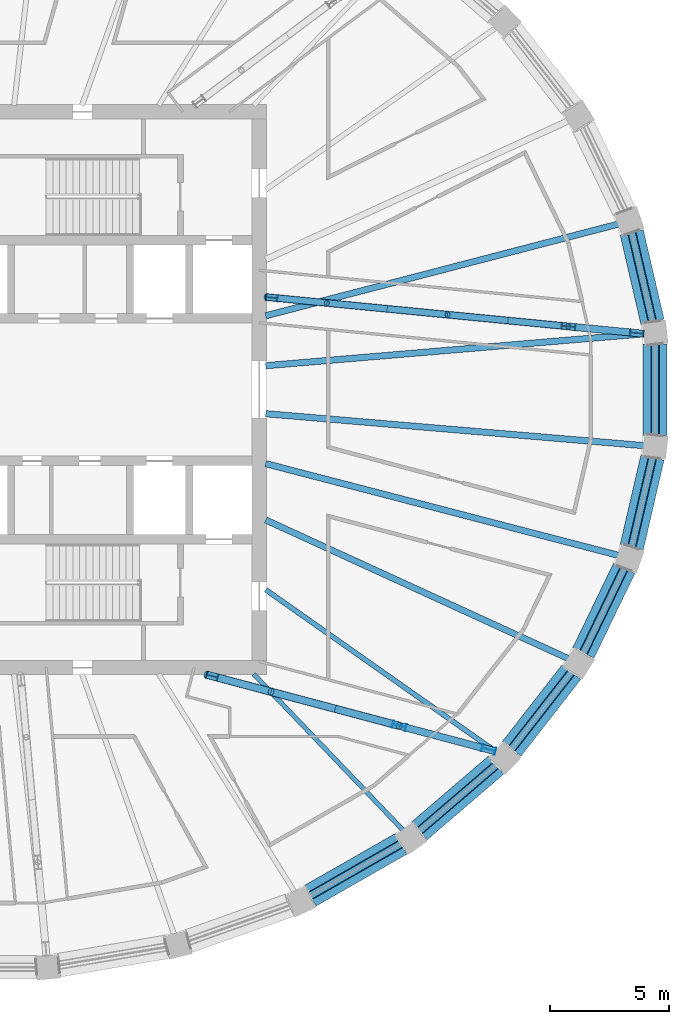
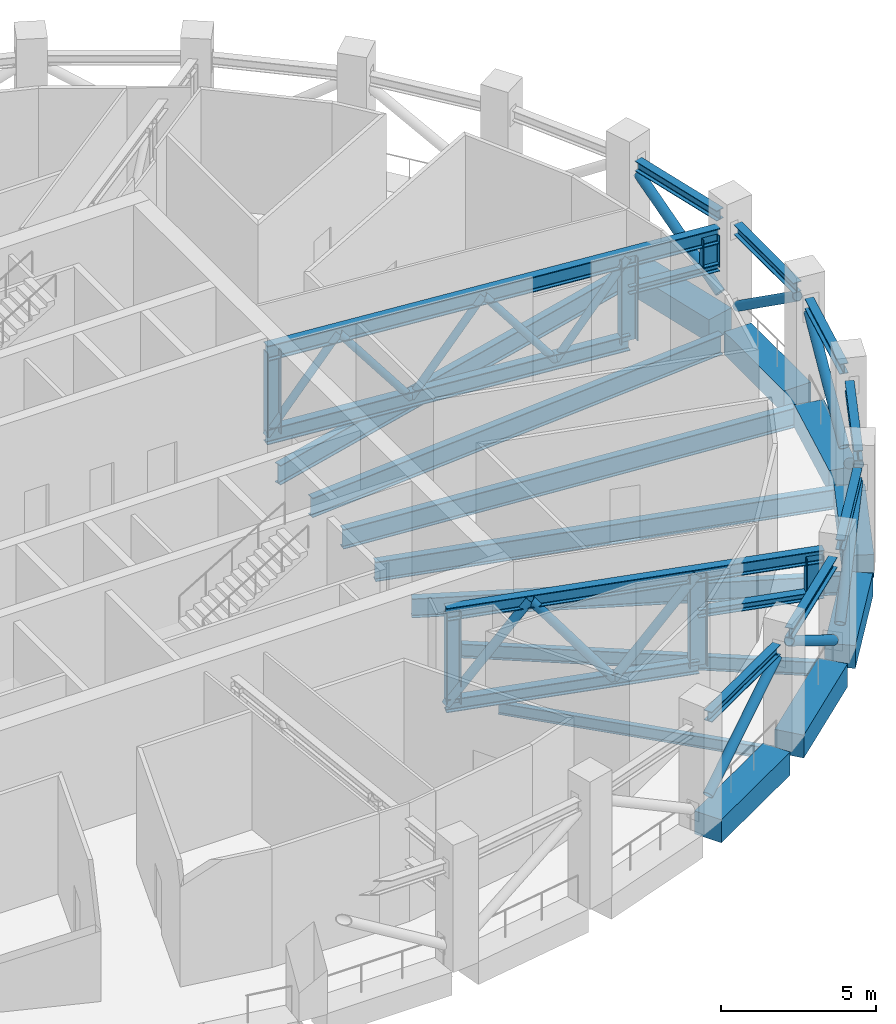
# One storey, part 4 of 20: 34 members, 14 beams.
"""IFC4 building model written with IfcOpenShell, lengths in metres."""

from ifc_helpers import new_model, si_unit, direction, frame, origin, origin_2d, place, context, subcontext, project, spatial, rectangle, hollow_circle, i_section, extrude, material, material_profile, profile_set, type_object, element, save


model = new_model("IFC4")

# Units and contexts
model_context = context("Model", 3, precision=1e-05, world=origin(), true_north=direction((0.0, 1.0)))
body_context = subcontext(model_context, "Body", "Model", "MODEL_VIEW")
ifc_project = project(units=[si_unit("LENGTHUNIT", "METRE"), si_unit("AREAUNIT", "SQUARE_METRE"), si_unit("VOLUMEUNIT", "CUBIC_METRE"), si_unit("PLANEANGLEUNIT", "RADIAN"), si_unit("MASSUNIT", "GRAM", prefix="KILO")], contexts=[model_context])

# Site, building, storey
site_placement = place(None, origin())
site = spatial("IfcSite", under=ifc_project, at=site_placement, CompositionType="ELEMENT")
building_placement = place(site_placement, origin())
building = spatial("IfcBuilding", under=site, at=building_placement, Name="Halqa Exchange Tower", CompositionType="ELEMENT")
storey_placement = place(building_placement, frame((0.0, 0.0, 328.300048828125)))
storey = spatial("IfcBuildingStorey", under=building, at=storey_placement, Name="L77", CompositionType="ELEMENT", Elevation=328.300048828125)

# Members
ifc_material_1 = material(Name="Steel S355", Category="steel")
ifc_material_profile_1 = material_profile(ifc_material_1, i_section(OverallWidth=0.300048828125, OverallDepth=0.39990234375, WebThickness=0.013427734375, FlangeThickness=0.02392578125, FilletRadius=0.027099609375, at=origin_2d()), Name="HEB 400")
ifc_profile_set_1 = profile_set([ifc_material_profile_1], Name="Steel S355")
member_type_1 = type_object("IfcMemberType", Name="Belt truss chord HEB 400", PredefinedType="CHORD", material=ifc_profile_set_1)
member_1_placement = place(storey_placement, frame((28.255126953125, 2.85791015625, 3.89990234375), z_axis=(-0.226024956328, 0.974121511474, 0.0), x_axis=(-0.974121511474, -0.226024956328, 0.0)))
element("IfcMember", 1, at=member_1_placement, inside=storey, type_object=member_type_1, Name="Belt chord 1", PredefinedType="CHORD", context=body_context, shape_type="SweptSolid", body=[
    extrude(i_section(OverallWidth=0.300048828125, OverallDepth=0.39990234375, WebThickness=0.013427734375, FlangeThickness=0.02392578125, FilletRadius=0.027099609375, at=origin_2d()), origin(), (0.0, 0.0, 1.0), 3.8701171875),
])
member_2_placement = place(storey_placement, frame((13.845458984375, -21.308837890625, 3.89990234375), z_axis=(0.867758571209, 0.496985977764, 0.0), x_axis=(-0.496985977764, 0.867758571209, 0.0)))
element("IfcMember", 2, at=member_2_placement, inside=storey, type_object=member_type_1, Name="Belt chord 27", PredefinedType="CHORD", context=body_context, shape_type="SweptSolid", body=[
    extrude(i_section(OverallWidth=0.300048828125, OverallDepth=0.39990234375, WebThickness=0.013427734375, FlangeThickness=0.02392578125, FilletRadius=0.027099609375, at=origin_2d()), origin(), (0.0, 0.0, 1.0), 4.406494140625),
])
member_3_placement = place(storey_placement, frame((18.440185546875, -18.574951171875, 3.89990234375), z_axis=(0.75928090671, 0.650763017315, 0.0), x_axis=(-0.650763017315, 0.75928090671, 0.0)))
element("IfcMember", 3, at=member_3_placement, inside=storey, type_object=member_type_1, Name="Belt chord 28", PredefinedType="CHORD", context=body_context, shape_type="SweptSolid", body=[
    extrude(i_section(OverallWidth=0.300048828125, OverallDepth=0.39990234375, WebThickness=0.013427734375, FlangeThickness=0.02392578125, FilletRadius=0.027099609375, at=origin_2d()), origin(), (0.0, 0.0, 1.0), 4.25439453125),
])
member_4_placement = place(storey_placement, frame((22.322998046875, -15.122314453125, 3.89990234375), z_axis=(0.614855529737, 0.78863976412, 0.0), x_axis=(-0.78863976412, 0.614855529737, 0.0)))
element("IfcMember", 4, at=member_4_placement, inside=storey, type_object=member_type_1, Name="Belt chord 29", PredefinedType="CHORD", context=body_context, shape_type="SweptSolid", body=[
    extrude(i_section(OverallWidth=0.300048828125, OverallDepth=0.39990234375, WebThickness=0.013427734375, FlangeThickness=0.02392578125, FilletRadius=0.027099609375, at=origin_2d()), origin(), (0.0, 0.0, 1.0), 4.099365234375),
])
member_5_placement = place(storey_placement, frame((25.34130859375, -11.08837890625, 3.89990234375), z_axis=(0.435102095342, 0.900381122986, 0.0), x_axis=(-0.900381122986, 0.435102095342, 0.0)))
element("IfcMember", 5, at=member_5_placement, inside=storey, type_object=member_type_1, Name="Belt chord 30", PredefinedType="CHORD", context=body_context, shape_type="SweptSolid", body=[
    extrude(i_section(OverallWidth=0.300048828125, OverallDepth=0.39990234375, WebThickness=0.013427734375, FlangeThickness=0.02392578125, FilletRadius=0.027099609375, at=origin_2d()), origin(), (0.0, 0.0, 1.0), 3.96435546875),
])
member_6_placement = place(storey_placement, frame((27.38037109375, -6.6279296875, 3.89990234375), z_axis=(0.226024956328, 0.974121511474, 0.0), x_axis=(-0.974121511474, 0.226024956328, 0.0)))
element("IfcMember", 6, at=member_6_placement, inside=storey, type_object=member_type_1, Name="Belt chord 31", PredefinedType="CHORD", context=body_context, shape_type="SweptSolid", body=[
    extrude(i_section(OverallWidth=0.300048828125, OverallDepth=0.39990234375, WebThickness=0.013427734375, FlangeThickness=0.02392578125, FilletRadius=0.027099609375, at=origin_2d()), origin(), (0.0, 0.0, 1.0), 3.8701171875),
])
member_7_placement = place(storey_placement, frame((28.36279296875, -1.91845703125, 3.89990234375), z_axis=(0.0, 1.0, 0.0), x_axis=(-1.0, 0.0, 0.0)))
element("IfcMember", 7, at=member_7_placement, inside=storey, type_object=member_type_1, Name="Belt chord 32", PredefinedType="CHORD", context=body_context, shape_type="SweptSolid", body=[
    extrude(i_section(OverallWidth=0.300048828125, OverallDepth=0.39990234375, WebThickness=0.013427734375, FlangeThickness=0.02392578125, FilletRadius=0.027099609375, at=origin_2d()), origin(), (0.0, 0.0, 1.0), 3.8369140625),
])
ifc_material_profile_2 = material_profile(ifc_material_1, hollow_circle(Radius=0.177734375, WallThickness=0.02001953125, at=origin_2d()), Name="CHS 355.6x20")
ifc_profile_set_2 = profile_set([ifc_material_profile_2], Name="Steel S355")
member_type_2 = type_object("IfcMemberType", Name="Belt truss diagonal CHS 355.6x20", PredefinedType="BRACE", material=ifc_profile_set_2)
member_8_placement = place(storey_placement, frame((28.25537109375, 2.857177734375, 0.8349609375), z_axis=(-0.184739014673, 0.796104055143, 0.576272357347), x_axis=(-0.974116294117, -0.226047440896, 0.0)))
element("IfcMember", 8, at=member_8_placement, inside=storey, type_object=member_type_2, Name="Belt diagonal 1", PredefinedType="BRACE", context=body_context, shape_type="SweptSolid", body=[
    extrude(hollow_circle(Radius=0.177734375, WallThickness=0.02001953125, at=origin_2d()), origin(), (0.0, 0.0, 1.0), 4.73779296875),
])
member_9_placement = place(storey_placement, frame((13.845947265625, -21.30859375, 0.80078125), z_axis=(0.73252115506, 0.419499118497, 0.536128013603), x_axis=(-0.49695638513, 0.867775518944, 0.0)))
element("IfcMember", 9, at=member_9_placement, inside=storey, type_object=member_type_2, Name="Belt diagonal 27", PredefinedType="BRACE", context=body_context, shape_type="SweptSolid", body=[
    extrude(hollow_circle(Radius=0.177734375, WallThickness=0.02001953125, at=origin_2d()), origin(), (0.0, 0.0, 1.0), 5.218505859375),
])
member_10_placement = place(storey_placement, frame((18.44091796875, -18.574462890625, 3.589599609375), z_axis=(0.635586053548, 0.544801769902, -0.547011334477), x_axis=(-0.650800824184, 0.75924850164, 0.0)))
element("IfcMember", 10, at=member_10_placement, inside=storey, type_object=member_type_2, Name="Belt diagonal 28", PredefinedType="BRACE", context=body_context, shape_type="SweptSolid", body=[
    extrude(hollow_circle(Radius=0.177734375, WallThickness=0.02001953125, at=origin_2d()), origin(), (0.0, 0.0, 1.0), 5.082763671875),
])
member_11_placement = place(storey_placement, frame((22.322509765625, -15.123291015625, 0.8193359375), z_axis=(0.50993340575, 0.654174958089, 0.558590230768), x_axis=(-0.788691154444, 0.614789608648, 0.0)))
element("IfcMember", 11, at=member_11_placement, inside=storey, type_object=member_type_2, Name="Belt diagonal 29", PredefinedType="BRACE", context=body_context, shape_type="SweptSolid", body=[
    extrude(hollow_circle(Radius=0.177734375, WallThickness=0.02001953125, at=origin_2d()), origin(), (0.0, 0.0, 1.0), 4.9423828125),
])
member_12_placement = place(storey_placement, frame((25.341796875, -11.08740234375, 3.57080078125), z_axis=(0.357783030939, 0.740434616264, -0.568988472475), x_axis=(-0.900393591265, 0.435076293091, 0.0)))
element("IfcMember", 12, at=member_12_placement, inside=storey, type_object=member_type_2, Name="Belt diagonal 30", PredefinedType="BRACE", context=body_context, shape_type="SweptSolid", body=[
    extrude(hollow_circle(Radius=0.177734375, WallThickness=0.02001953125, at=origin_2d()), origin(), (0.0, 0.0, 1.0), 4.8203125),
])
member_13_placement = place(storey_placement, frame((27.380126953125, -6.62890625, 0.834716796875), z_axis=(0.184739014673, 0.796104055143, 0.576272357347), x_axis=(-0.974116294117, 0.226047440896, 0.0)))
element("IfcMember", 13, at=member_13_placement, inside=storey, type_object=member_type_2, Name="Belt diagonal 31", PredefinedType="BRACE", context=body_context, shape_type="SweptSolid", body=[
    extrude(hollow_circle(Radius=0.177734375, WallThickness=0.02001953125, at=origin_2d()), origin(), (0.0, 0.0, 1.0), 4.73779296875),
])
member_14_placement = place(storey_placement, frame((28.36279296875, -1.919189453125, 3.5625), z_axis=(0.0, 0.815398163064, -0.578900540397), x_axis=(-1.0, 0.0, 0.0)))
element("IfcMember", 14, at=member_14_placement, inside=storey, type_object=member_type_2, Name="Belt diagonal 32", PredefinedType="BRACE", context=body_context, shape_type="SweptSolid", body=[
    extrude(hollow_circle(Radius=0.177734375, WallThickness=0.02001953125, at=origin_2d()), origin(), (0.0, 0.0, 1.0), 4.707275390625),
])

# Beams
ifc_material_profile_3 = material_profile(ifc_material_1, i_section(OverallWidth=0.18994140625, OverallDepth=0.449951171875, WebThickness=0.009521484375, FlangeThickness=0.0146484375, FilletRadius=0.02099609375, at=origin_2d()), Name="IPE 450")
ifc_profile_set_3 = profile_set([ifc_material_profile_3], Name="Steel S355")
beam_type_1 = type_object("IfcBeamType", Name="Floor beam IPE 450", PredefinedType="BEAM", material=ifc_profile_set_3)
beam_1_placement = place(storey_placement, frame((11.462890625, -11.97216796875, -0.574951171875), z_axis=(0.6915759213, -0.722303776175, 0.0), x_axis=(0.722303776175, 0.6915759213, 0.0)))
element("IfcBeam", 15, at=beam_1_placement, inside=storey, type_object=beam_type_1, Name="Radial beam 28", PredefinedType="BEAM", context=body_context, shape_type="SweptSolid", body=[
    extrude(i_section(OverallWidth=0.18994140625, OverallDepth=0.449951171875, WebThickness=0.009521484375, FlangeThickness=0.0146484375, FilletRadius=0.02099609375, at=origin_2d()), origin(), (0.0, 0.0, 1.0), 9.192626953125),
])
ifc_material_profile_4 = material_profile(ifc_material_1, i_section(OverallWidth=0.2099609375, OverallDepth=0.550048828125, WebThickness=0.010986328125, FlangeThickness=0.01708984375, FilletRadius=0.02392578125, at=origin_2d()), Name="IPE 550")
ifc_profile_set_4 = profile_set([ifc_material_profile_4], Name="Steel S355")
beam_type_2 = type_object("IfcBeamType", Name="Floor beam IPE 550", PredefinedType="BEAM", material=ifc_profile_set_4)
beam_2_placement = place(storey_placement, frame((11.97265625, -8.422119140625, -0.625), z_axis=(0.817914568296, -0.57533969007, 0.0), x_axis=(0.57533969007, 0.817914568296, 0.0)))
element("IfcBeam", 16, at=beam_2_placement, inside=storey, type_object=beam_type_2, Name="Radial beam 29", PredefinedType="BEAM", context=body_context, shape_type="SweptSolid", body=[
    extrude(i_section(OverallWidth=0.2099609375, OverallDepth=0.550048828125, WebThickness=0.010986328125, FlangeThickness=0.01708984375, FilletRadius=0.02392578125, at=origin_2d()), origin(), (0.0, 0.0, 1.0), 11.92138671875),
])
ifc_material_profile_5 = material_profile(ifc_material_1, i_section(OverallWidth=0.264892578125, OverallDepth=0.7529296875, WebThickness=0.01318359375, FlangeThickness=0.01708984375, FilletRadius=0.01708984375, at=origin_2d()), Name="IPE 750x147")
ifc_profile_set_5 = profile_set([ifc_material_profile_5], Name="Steel S355")
beam_type_3 = type_object("IfcBeamType", Name="Floor beam IPE 750x147", PredefinedType="BEAM", material=ifc_profile_set_5)
beam_3_placement = place(storey_placement, frame((11.972412109375, -5.485107421875, -0.7265625), z_axis=(0.909126834486, -0.416519385884, 0.0), x_axis=(0.416519385884, 0.909126834486, 0.0)))
element("IfcBeam", 17, at=beam_3_placement, inside=storey, type_object=beam_type_3, Name="Radial beam 30", PredefinedType="BEAM", context=body_context, shape_type="SweptSolid", body=[
    extrude(i_section(OverallWidth=0.264892578125, OverallDepth=0.7529296875, WebThickness=0.01318359375, FlangeThickness=0.01708984375, FilletRadius=0.01708984375, at=origin_2d()), origin(), (0.0, 0.0, 1.0), 14.10205078125),
])
ifc_material_profile_6 = material_profile(ifc_material_1, i_section(OverallWidth=0.26806640625, OverallDepth=0.77001953125, WebThickness=0.015625, FlangeThickness=0.025390625, FilletRadius=0.01708984375, at=origin_2d()), Name="IPE 750x196")
ifc_profile_set_6 = profile_set([ifc_material_profile_6], Name="Steel S355")
beam_type_4 = type_object("IfcBeamType", Name="Floor beam IPE 750x196", PredefinedType="BEAM", material=ifc_profile_set_6)
beam_4_placement = place(storey_placement, frame((11.972900390625, 1.0107421875, -0.735107421875), z_axis=(0.996455843657, 0.08411748713, 0.0), x_axis=(-0.08411748713, 0.996455843657, 0.0)))
element("IfcBeam", 18, at=beam_4_placement, inside=storey, type_object=beam_type_4, Name="Radial beam 1", PredefinedType="BEAM", context=body_context, shape_type="SweptSolid", body=[
    extrude(i_section(OverallWidth=0.26806640625, OverallDepth=0.77001953125, WebThickness=0.015625, FlangeThickness=0.025390625, FilletRadius=0.01708984375, at=origin_2d()), origin(), (0.0, 0.0, 1.0), 16.076171875),
])
for number, where, z_axis, x_axis, name in (
    (19, (11.97119140625, 3.112548828125, -0.735107421875), (0.967819348283, 0.251645999551, 0.0), (-0.251645999551, 0.967819348283, 0.0), "Radial beam 2"),
    (20, (11.97119140625, -3.112548828125, -0.735107421875), (0.967819348283, -0.251645999551, 0.0), (0.251645999551, 0.967819348283, 0.0), "Radial beam 31"),
):
    element("IfcBeam", number, at=place(storey_placement, frame(where, z_axis=z_axis, x_axis=x_axis)), inside=storey, type_object=beam_type_4, Name=name, PredefinedType="BEAM", context=body_context, shape_type="SweptSolid", body=[
        extrude(i_section(OverallWidth=0.26806640625, OverallDepth=0.77001953125, WebThickness=0.015625, FlangeThickness=0.025390625, FilletRadius=0.01708984375, at=origin_2d()), origin(), (0.0, 0.0, 1.0), 15.4365234375),
    ])
beam_5_placement = place(storey_placement, frame((11.972900390625, -1.0107421875, -0.735107421875), z_axis=(0.996455843657, -0.08411748713, 0.0), x_axis=(0.08411748713, 0.996455843657, 0.0)))
element("IfcBeam", 21, at=beam_5_placement, inside=storey, type_object=beam_type_4, Name="Radial beam 32", PredefinedType="BEAM", context=body_context, shape_type="SweptSolid", body=[
    extrude(i_section(OverallWidth=0.26806640625, OverallDepth=0.77001953125, WebThickness=0.015625, FlangeThickness=0.025390625, FilletRadius=0.01708984375, at=origin_2d()), origin(), (0.0, 0.0, 1.0), 16.076171875),
])

# Members
ifc_material_profile_7 = material_profile(ifc_material_1, i_section(OverallWidth=0.300048828125, OverallDepth=0.5, WebThickness=0.014404296875, FlangeThickness=0.028076171875, FilletRadius=0.027099609375, at=origin_2d()), Name="HEB 500")
ifc_profile_set_7 = profile_set([ifc_material_profile_7], Name="Steel S355")
member_type_3 = type_object("IfcMemberType", Name="Outrigger chord HEB 500", PredefinedType="CHORD", material=ifc_profile_set_7)
member_15_placement = place(storey_placement, frame((9.473876953125, -11.9931640625, 0.25), z_axis=(0.966501179525, -0.25666217091, 0.0), x_axis=(0.25666217091, 0.966501179525, 0.0)))
element("IfcMember", 22, at=member_15_placement, inside=storey, type_object=member_type_3, Name="Outrigger 8 chord", PredefinedType="CHORD", context=body_context, shape_type="SweptSolid", body=[
    extrude(i_section(OverallWidth=0.300048828125, OverallDepth=0.5, WebThickness=0.014404296875, FlangeThickness=0.028076171875, FilletRadius=0.027099609375, at=origin_2d()), origin(), (0.0, 0.0, 1.0), 8.4306640625),
])
member_16_placement = place(storey_placement, frame((9.473876953125, -11.9931640625, 3.849853515625), z_axis=(0.966498956435, -0.256670542154, 0.0), x_axis=(0.256670542154, 0.966498956435, 0.0)))
element("IfcMember", 23, at=member_16_placement, inside=storey, type_object=member_type_3, Name="Outrigger 8 chord", PredefinedType="CHORD", context=body_context, shape_type="SweptSolid", body=[
    extrude(i_section(OverallWidth=0.300048828125, OverallDepth=0.5, WebThickness=0.014404296875, FlangeThickness=0.028076171875, FilletRadius=0.027099609375, at=origin_2d()), origin(), (0.0, 0.0, 1.0), 12.591796875),
])
ifc_material_profile_8 = material_profile(ifc_material_1, i_section(OverallWidth=0.300048828125, OverallDepth=0.60009765625, WebThickness=0.015380859375, FlangeThickness=0.030029296875, FilletRadius=0.027099609375, at=origin_2d()), Name="HEB 600")
ifc_profile_set_8 = profile_set([ifc_material_profile_8], Name="Steel S355")
member_type_4 = type_object("IfcMemberType", Name="Outrigger chord HEB 600", PredefinedType="CHORD", material=ifc_profile_set_8)
member_17_placement = place(storey_placement, frame((11.97314453125, 3.902587890625, 0.300048828125), z_axis=(0.995305404856, -0.096784043442, 0.0), x_axis=(0.096784043442, 0.995305404856, 0.0)))
element("IfcMember", 24, at=member_17_placement, inside=storey, type_object=member_type_4, Name="Outrigger 1 chord", PredefinedType="CHORD", context=body_context, shape_type="SweptSolid", body=[
    extrude(i_section(OverallWidth=0.300048828125, OverallDepth=0.60009765625, WebThickness=0.015380859375, FlangeThickness=0.030029296875, FilletRadius=0.027099609375, at=origin_2d()), origin(), (0.0, 0.0, 1.0), 12.8271484375),
])
member_18_placement = place(storey_placement, frame((11.97314453125, 3.902587890625, 3.579833984375), z_axis=(0.995304343472, -0.096794957853, 0.0), x_axis=(0.096794957853, 0.995304343472, 0.0)))
element("IfcMember", 25, at=member_18_placement, inside=storey, type_object=member_type_4, Name="Outrigger 1 chord", PredefinedType="CHORD", context=body_context, shape_type="SweptSolid", body=[
    extrude(i_section(OverallWidth=0.300048828125, OverallDepth=0.60009765625, WebThickness=0.015380859375, FlangeThickness=0.030029296875, FilletRadius=0.027099609375, at=origin_2d()), origin(), (0.0, 0.0, 1.0), 15.99365234375),
])
ifc_material_profile_9 = material_profile(ifc_material_1, hollow_circle(Radius=0.136474609375, WallThickness=0.01611328125, at=origin_2d()), Name="CHS 273x16")
ifc_profile_set_9 = profile_set([ifc_material_profile_9], Name="Steel S355")
member_type_5 = type_object("IfcMemberType", Name="Outrigger diagonal CHS 273x16", PredefinedType="BRACE", material=ifc_profile_set_9)
for number, where, z_axis, x_axis, name in (
    (26, (12.0, 3.89990234375, 0.300048828125), (0.611583944938, -0.059490545057, 0.788939765345), (0.096815943184, 0.995302302391, 0.0), "Outrigger 1 diagonal"),
    (27, (14.54248046875, 3.652587890625, 3.579833984375), (0.611622839694, -0.059429890904, -0.7889141842), (0.096712064362, 0.995312401514, 0.0), "Outrigger 1 diagonal"),
):
    element("IfcMember", number, at=place(storey_placement, frame(where, z_axis=z_axis, x_axis=x_axis)), inside=storey, type_object=member_type_5, Name=name, PredefinedType="BRACE", context=body_context, shape_type="SweptSolid", body=[
        extrude(hollow_circle(Radius=0.136474609375, WallThickness=0.01611328125, at=origin_2d()), origin(), (0.0, 0.0, 1.0), 4.1572265625),
    ])
member_19_placement = place(storey_placement, frame((17.085205078125, 3.405517578125, 0.300048828125), z_axis=(0.611620704067, -0.059488408374, 0.788911429519), x_axis=(0.096806734487, 0.995303198105, 0.0)))
element("IfcMember", 28, at=member_19_placement, inside=storey, type_object=member_type_5, Name="Outrigger 1 diagonal", PredefinedType="BRACE", context=body_context, shape_type="SweptSolid", body=[
    extrude(hollow_circle(Radius=0.136474609375, WallThickness=0.01611328125, at=origin_2d()), origin(), (0.0, 0.0, 1.0), 4.157470703125),
])
for number, where, z_axis, x_axis, name in (
    (29, (19.6279296875, 3.158203125, 3.579833984375), (0.611583944938, -0.059490545057, -0.788939765345), (0.096815943184, 0.995302302391, 0.0), "Outrigger 1 diagonal"),
    (30, (22.17041015625, 2.910888671875, 0.300048828125), (0.611622839694, -0.059429890904, 0.7889141842), (0.096712064362, 0.995312401514, 0.0), "Outrigger 1 diagonal"),
):
    element("IfcMember", number, at=place(storey_placement, frame(where, z_axis=z_axis, x_axis=x_axis)), inside=storey, type_object=member_type_5, Name=name, PredefinedType="BRACE", context=body_context, shape_type="SweptSolid", body=[
        extrude(hollow_circle(Radius=0.136474609375, WallThickness=0.01611328125, at=origin_2d()), origin(), (0.0, 0.0, 1.0), 4.1572265625),
    ])
ifc_material_profile_10 = material_profile(ifc_material_1, hollow_circle(Radius=0.161865234375, WallThickness=0.01611328125, at=origin_2d()), Name="CHS 323.9x16")
ifc_profile_set_10 = profile_set([ifc_material_profile_10], Name="Steel S355")
member_type_6 = type_object("IfcMemberType", Name="Outrigger diagonal CHS 323.9x16", PredefinedType="BRACE", material=ifc_profile_set_10)
member_20_placement = place(storey_placement, frame((9.5, -12.0, 0.25), z_axis=(0.592364249582, -0.157335031371, 0.79015839154), x_axis=(0.256704746251, 0.966489872297, 0.0)))
element("IfcMember", 31, at=member_20_placement, inside=storey, type_object=member_type_6, Name="Outrigger 8 diagonal", PredefinedType="BRACE", context=body_context, shape_type="SweptSolid", body=[
    extrude(hollow_circle(Radius=0.161865234375, WallThickness=0.01611328125, at=origin_2d()), origin(), (0.0, 0.0, 1.0), 4.555908203125),
])
member_21_placement = place(storey_placement, frame((12.19873046875, -12.716796875, 3.849853515625), z_axis=(0.592334457202, -0.157287761864, -0.79019013584), x_axis=(0.256644759951, 0.966505802978, 0.0)))
element("IfcMember", 32, at=member_21_placement, inside=storey, type_object=member_type_6, Name="Outrigger 8 diagonal", PredefinedType="BRACE", context=body_context, shape_type="SweptSolid", body=[
    extrude(hollow_circle(Radius=0.161865234375, WallThickness=0.01611328125, at=origin_2d()), origin(), (0.0, 0.0, 1.0), 4.5556640625),
])
member_22_placement = place(storey_placement, frame((14.897216796875, -13.433349609375, 0.25), z_axis=(0.592364249582, -0.157335031371, 0.79015839154), x_axis=(0.256704746251, 0.966489872297, 0.0)))
element("IfcMember", 33, at=member_22_placement, inside=storey, type_object=member_type_6, Name="Outrigger 8 diagonal", PredefinedType="BRACE", context=body_context, shape_type="SweptSolid", body=[
    extrude(hollow_circle(Radius=0.161865234375, WallThickness=0.01611328125, at=origin_2d()), origin(), (0.0, 0.0, 1.0), 4.555908203125),
])
ifc_material_profile_11 = material_profile(ifc_material_1, i_section(OverallWidth=0.300048828125, OverallDepth=0.300048828125, WebThickness=0.010986328125, FlangeThickness=0.01904296875, FilletRadius=0.027099609375, at=origin_2d()), Name="HEB 300")
ifc_profile_set_11 = profile_set([ifc_material_profile_11], Name="Steel S355")
member_type_7 = type_object("IfcMemberType", Name="Outrigger opening chord HEB 300", PredefinedType="CHORD", material=ifc_profile_set_11)
member_23_placement = place(storey_placement, frame((24.713134765625, 2.663818359375, 2.349853515625), z_axis=(0.995297851141, -0.09686169271, 0.0), x_axis=(0.09686169271, 0.995297851141, 0.0)))
element("IfcMember", 34, at=member_23_placement, inside=storey, type_object=member_type_7, Name="Outrigger 1 opening chord", PredefinedType="CHORD", context=body_context, shape_type="SweptSolid", body=[
    extrude(i_section(OverallWidth=0.300048828125, OverallDepth=0.300048828125, WebThickness=0.010986328125, FlangeThickness=0.01904296875, FilletRadius=0.027099609375, at=origin_2d()), origin(), (0.0, 0.0, 1.0), 3.193603515625),
])
member_24_placement = place(storey_placement, frame((17.595947265625, -14.150146484375, 2.349853515625), z_axis=(0.966500492786, -0.25666475692, 0.0), x_axis=(0.25666475692, 0.966500492786, 0.0)))
element("IfcMember", 35, at=member_24_placement, inside=storey, type_object=member_type_7, Name="Outrigger 8 opening chord", PredefinedType="CHORD", context=body_context, shape_type="SweptSolid", body=[
    extrude(i_section(OverallWidth=0.300048828125, OverallDepth=0.300048828125, WebThickness=0.010986328125, FlangeThickness=0.01904296875, FilletRadius=0.027099609375, at=origin_2d()), origin(), (0.0, 0.0, 1.0), 4.188232421875),
])
ifc_material_profile_12 = material_profile(ifc_material_1, i_section(OverallWidth=0.300048828125, OverallDepth=0.5, WebThickness=0.014404296875, FlangeThickness=0.028076171875, FilletRadius=0.027099609375, at=origin_2d()), Name="HEB 500")
ifc_profile_set_12 = profile_set([ifc_material_profile_12], Name="Steel S355")
member_type_8 = type_object("IfcMemberType", Name="Outrigger post HEB 500", PredefinedType="POST", material=ifc_profile_set_12)
member_25_placement = place(storey_placement, frame((12.221923828125, 3.87841796875, 0.300048828125), z_axis=(0.0, 0.0, 1.0), x_axis=(0.097096528268, 0.995274969141, 0.0)))
element("IfcMember", 36, at=member_25_placement, inside=storey, type_object=member_type_8, Name="Outrigger 1 post", PredefinedType="POST", context=body_context, shape_type="SweptSolid", body=[
    extrude(i_section(OverallWidth=0.300048828125, OverallDepth=0.5, WebThickness=0.014404296875, FlangeThickness=0.028076171875, FilletRadius=0.027099609375, at=origin_2d()), origin(), (0.0, 0.0, 1.0), 3.27978515625),
])
member_26_placement = place(storey_placement, frame((9.715576171875, -12.05712890625, 0.25), z_axis=(0.0, 0.0, 1.0), x_axis=(0.255951950439, 0.966689504994, 0.0)))
element("IfcMember", 37, at=member_26_placement, inside=storey, type_object=member_type_8, Name="Outrigger 8 post", PredefinedType="POST", context=body_context, shape_type="SweptSolid", body=[
    extrude(i_section(OverallWidth=0.300048828125, OverallDepth=0.5, WebThickness=0.014404296875, FlangeThickness=0.028076171875, FilletRadius=0.027099609375, at=origin_2d()), origin(), (0.0, 0.0, 1.0), 3.599853515625),
])
ifc_material_profile_13 = material_profile(ifc_material_1, i_section(OverallWidth=0.300048828125, OverallDepth=0.60009765625, WebThickness=0.015380859375, FlangeThickness=0.030029296875, FilletRadius=0.027099609375, at=origin_2d()), Name="HEB 600")
ifc_profile_set_13 = profile_set([ifc_material_profile_13], Name="Steel S355")
member_type_9 = type_object("IfcMemberType", Name="Outrigger post HEB 600", PredefinedType="POST", material=ifc_profile_set_13)
member_27_placement = place(storey_placement, frame((24.713134765625, 2.663818359375, 0.300048828125), z_axis=(0.0, 0.0, 1.0), x_axis=(0.097096528268, 0.995274969141, 0.0)))
element("IfcMember", 38, at=member_27_placement, inside=storey, type_object=member_type_9, Name="Outrigger 1 post", PredefinedType="POST", context=body_context, shape_type="SweptSolid", body=[
    extrude(i_section(OverallWidth=0.300048828125, OverallDepth=0.60009765625, WebThickness=0.015380859375, FlangeThickness=0.030029296875, FilletRadius=0.027099609375, at=origin_2d()), origin(), (0.0, 0.0, 1.0), 3.27978515625),
])
member_28_placement = place(storey_placement, frame((27.593017578125, 2.383544921875, 2.349853515625), z_axis=(0.0, 0.0, 1.0), x_axis=(0.097096528268, 0.995274969141, 0.0)))
element("IfcMember", 39, at=member_28_placement, inside=storey, type_object=member_type_9, Name="Outrigger 1 post", PredefinedType="POST", context=body_context, shape_type="SweptSolid", body=[
    extrude(i_section(OverallWidth=0.300048828125, OverallDepth=0.60009765625, WebThickness=0.015380859375, FlangeThickness=0.030029296875, FilletRadius=0.027099609375, at=origin_2d()), origin(), (0.0, 0.0, 1.0), 1.22998046875),
])
member_29_placement = place(storey_placement, frame((17.595947265625, -14.150146484375, 0.25), z_axis=(0.0, 0.0, 1.0), x_axis=(0.255951950439, 0.966689504994, 0.0)))
element("IfcMember", 40, at=member_29_placement, inside=storey, type_object=member_type_9, Name="Outrigger 8 post", PredefinedType="POST", context=body_context, shape_type="SweptSolid", body=[
    extrude(i_section(OverallWidth=0.300048828125, OverallDepth=0.60009765625, WebThickness=0.015380859375, FlangeThickness=0.030029296875, FilletRadius=0.027099609375, at=origin_2d()), origin(), (0.0, 0.0, 1.0), 3.599853515625),
])
member_30_placement = place(storey_placement, frame((21.35400390625, -15.148193359375, 2.349853515625), z_axis=(0.0, 0.0, 1.0), x_axis=(0.255951950439, 0.966689504994, 0.0)))
element("IfcMember", 41, at=member_30_placement, inside=storey, type_object=member_type_9, Name="Outrigger 8 post", PredefinedType="POST", context=body_context, shape_type="SweptSolid", body=[
    extrude(i_section(OverallWidth=0.300048828125, OverallDepth=0.60009765625, WebThickness=0.015380859375, FlangeThickness=0.030029296875, FilletRadius=0.027099609375, at=origin_2d()), origin(), (0.0, 0.0, 1.0), 1.5),
])

# Beams
ifc_material_2 = material(Name="Concrete C60/75", Category="concrete")
ifc_material_profile_14 = material_profile(ifc_material_2, rectangle(XDim=1.0, YDim=0.89990234375, at=origin_2d()), Name="1000 x 900")
ifc_profile_set_14 = profile_set([ifc_material_profile_14], Name="Concrete C60/75")
beam_type_5 = type_object("IfcBeamType", Name="RC spandrel beam 1000 x 900 C60/75", PredefinedType="SPANDREL", material=ifc_profile_set_14)
beam_6_placement = place(storey_placement, frame((28.25537109375, 2.857177734375, -0.449951171875), z_axis=(-0.226093384766, 0.974105631523, 0.0), x_axis=(-0.974105631523, -0.226093384766, 0.0)))
element("IfcBeam", 42, at=beam_6_placement, inside=storey, type_object=beam_type_5, Name="Spandrel 1", PredefinedType="SPANDREL", context=body_context, shape_type="SweptSolid", body=[
    extrude(rectangle(XDim=1.0, YDim=0.89990234375, at=origin_2d()), origin(), (0.0, 0.0, 1.0), 3.872314453125),
])
beam_7_placement = place(storey_placement, frame((13.8466796875, -21.30810546875, -0.449951171875), z_axis=(0.86778573249, 0.49693855001, 0.0), x_axis=(-0.49693855001, 0.86778573249, 0.0)))
element("IfcBeam", 43, at=beam_7_placement, inside=storey, type_object=beam_type_5, Name="Spandrel 27", PredefinedType="SPANDREL", context=body_context, shape_type="SweptSolid", body=[
    extrude(rectangle(XDim=1.0, YDim=0.89990234375, at=origin_2d()), origin(), (0.0, 0.0, 1.0), 4.40478515625),
])
beam_8_placement = place(storey_placement, frame((18.44091796875, -18.574462890625, -0.449951171875), z_axis=(0.759232294843, 0.65081973116, 0.0), x_axis=(-0.65081973116, 0.759232294843, 0.0)))
element("IfcBeam", 44, at=beam_8_placement, inside=storey, type_object=beam_type_5, Name="Spandrel 28", PredefinedType="SPANDREL", context=body_context, shape_type="SweptSolid", body=[
    extrude(rectangle(XDim=1.0, YDim=0.89990234375, at=origin_2d()), origin(), (0.0, 0.0, 1.0), 4.25390625),
])
beam_9_placement = place(storey_placement, frame((22.322021484375, -15.123779296875, -0.449951171875), z_axis=(0.61480594236, 0.788678421943, 0.0), x_axis=(-0.788678421943, 0.61480594236, 0.0)))
element("IfcBeam", 45, at=beam_9_placement, inside=storey, type_object=beam_type_5, Name="Spandrel 29", PredefinedType="SPANDREL", context=body_context, shape_type="SweptSolid", body=[
    extrude(rectangle(XDim=1.0, YDim=0.89990234375, at=origin_2d()), origin(), (0.0, 0.0, 1.0), 4.10009765625),
])
beam_10_placement = place(storey_placement, frame((25.34130859375, -11.088623046875, -0.449951171875), z_axis=(0.43505216676, 0.900405248873, 0.0), x_axis=(-0.900405248873, 0.43505216676, 0.0)))
element("IfcBeam", 46, at=beam_10_placement, inside=storey, type_object=beam_type_5, Name="Spandrel 30", PredefinedType="SPANDREL", context=body_context, shape_type="SweptSolid", body=[
    extrude(rectangle(XDim=1.0, YDim=0.89990234375, at=origin_2d()), origin(), (0.0, 0.0, 1.0), 3.964111328125),
])
beam_11_placement = place(storey_placement, frame((27.3798828125, -6.629150390625, -0.449951171875), z_axis=(0.226093384766, 0.974105631523, 0.0), x_axis=(-0.974105631523, 0.226093384766, 0.0)))
element("IfcBeam", 47, at=beam_11_placement, inside=storey, type_object=beam_type_5, Name="Spandrel 31", PredefinedType="SPANDREL", context=body_context, shape_type="SweptSolid", body=[
    extrude(rectangle(XDim=1.0, YDim=0.89990234375, at=origin_2d()), origin(), (0.0, 0.0, 1.0), 3.872314453125),
])
beam_12_placement = place(storey_placement, frame((28.36279296875, -1.919189453125, -0.449951171875), z_axis=(0.0, 1.0, 0.0), x_axis=(-1.0, 0.0, 0.0)))
element("IfcBeam", 48, at=beam_12_placement, inside=storey, type_object=beam_type_5, Name="Spandrel 32", PredefinedType="SPANDREL", context=body_context, shape_type="SweptSolid", body=[
    extrude(rectangle(XDim=1.0, YDim=0.89990234375, at=origin_2d()), origin(), (0.0, 0.0, 1.0), 3.83837890625),
])

save(model, "model.ifc")
